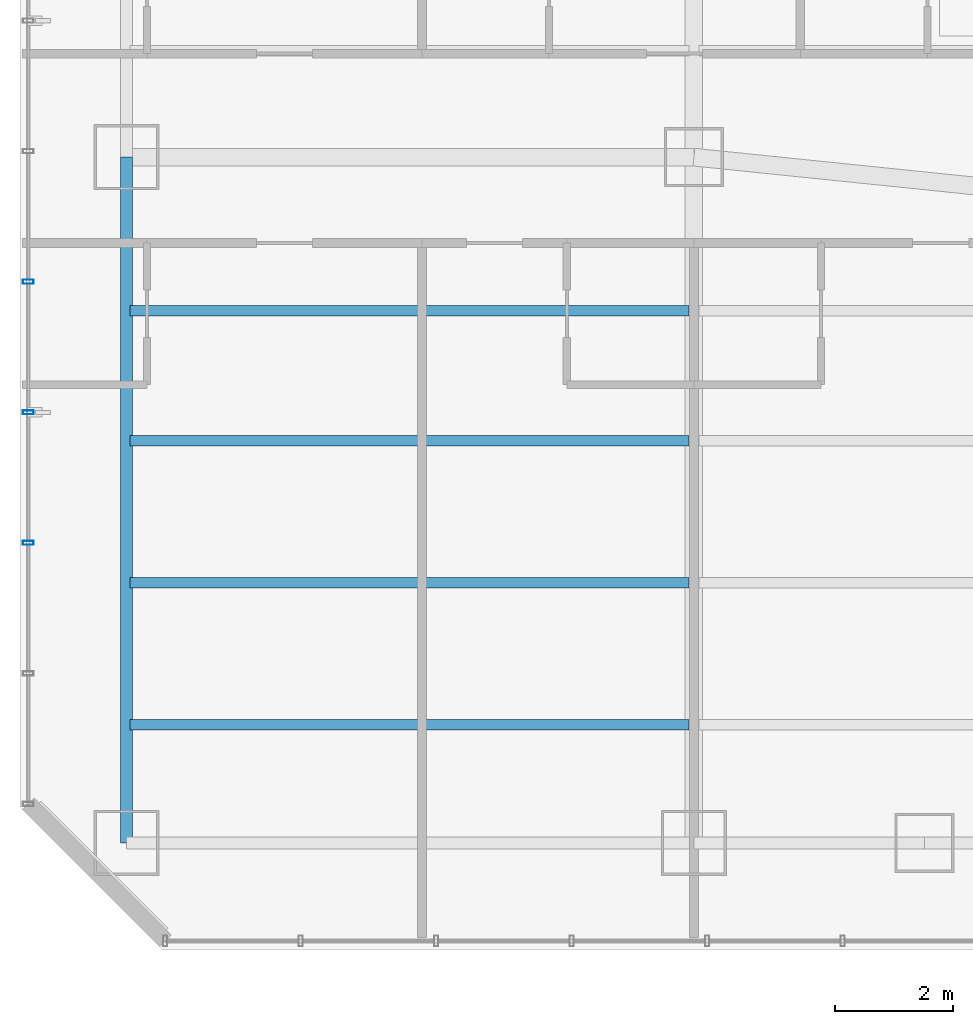
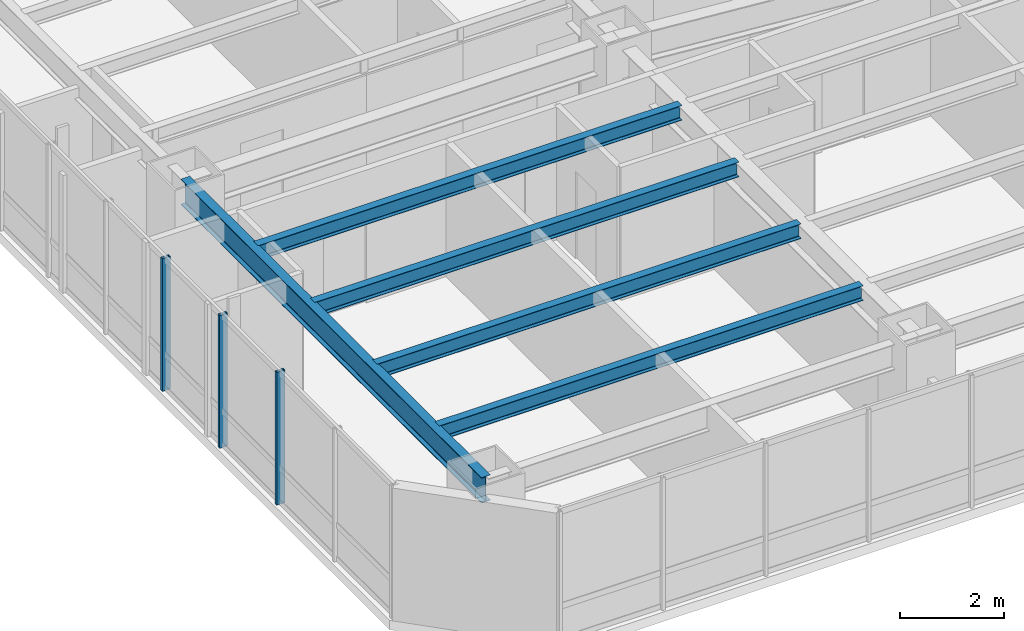
# One storey, part 5 of 37: 5 beams, 3 members, 1 element without a shape of its own.
"""IFC4 building model written with IfcOpenShell, lengths in metres."""

from ifc_helpers import new_model, si_unit, direction, frame, origin, origin_2d, place, context, subcontext, project, spatial, hollow_rectangle, i_section, extrude, material, layer, layer_set, material_profile, profile_set, type_object, element, aggregate, save


model = new_model("IFC4")

# Units and contexts
model_context = context("Model", 3, precision=1e-05, world=origin(), true_north=direction((0.0, 1.0)))
body_context = subcontext(model_context, "Body", "Model", "MODEL_VIEW")
ifc_project = project(units=[si_unit("LENGTHUNIT", "METRE"), si_unit("AREAUNIT", "SQUARE_METRE"), si_unit("VOLUMEUNIT", "CUBIC_METRE"), si_unit("PLANEANGLEUNIT", "RADIAN"), si_unit("MASSUNIT", "GRAM", prefix="KILO")], contexts=[model_context])

# Site, building, storey
site_placement = place(None, origin())
site = spatial("IfcSite", under=ifc_project, at=site_placement, CompositionType="ELEMENT")
building_placement = place(site_placement, origin())
building = spatial("IfcBuilding", under=site, at=building_placement, Name="Hatsunagi Terrace Concourse", CompositionType="ELEMENT")
storey_placement = place(building_placement, frame((0.0, 0.0, 50.0)))
storey = spatial("IfcBuildingStorey", under=building, at=storey_placement, Name="L12", CompositionType="ELEMENT", Elevation=50.0)

# Curtain wall, members
ifc_material_1 = material(Name="Anodised Aluminium Alloy 6063-T5", Category="aluminium")
ifc_layer = layer(ifc_material_1, 0.199951171875)
ifc_layer_set = layer_set([ifc_layer], Name="HotelFacade_CW02")
curtain_wall_type = type_object("IfcCurtainWallType", Name="HotelFacade_CW02", PredefinedType="NOTDEFINED", material=ifc_layer_set)
curtain_wall_placement = place(storey_placement, origin())
curtain_wall = element("IfcCurtainWall", 1, at=curtain_wall_placement, inside=storey, type_object=curtain_wall_type, Name="Unitised Curtain Wall CW-02 CW-L12-09", PredefinedType="NOTDEFINED")
ifc_material_2 = material(Name="Anodised Aluminium Alloy 6063-T5", Category="aluminium")
ifc_material_profile_1 = material_profile(ifc_material_2, hollow_rectangle(XDim=0.070068359375, YDim=0.179931640625, WallThickness=0.00390625, at=origin_2d()), Name="ALU-MUL-180x70x4")
ifc_profile_set_1 = profile_set([ifc_material_profile_1], Name="Anodised Aluminium Alloy 6063-T5")
member_type = type_object("IfcMemberType", Name="CurtainWallMullion_180x70", PredefinedType="MULLION", material=ifc_profile_set_1)
member_1_placement = place(storey_placement, frame((0.139892578125, 30.27490234375, 0.0), z_axis=(0.0, 0.0, 1.0), x_axis=(0.0, 1.0, 0.0)))
member_1 = element("IfcMember", 2, at=member_1_placement, type_object=member_type, Name="Curtain Wall Mullion MUL-02", PredefinedType="MULLION", context=body_context, shape_type="SweptSolid", body=[
    extrude(hollow_rectangle(XDim=0.070068359375, YDim=0.179931640625, WallThickness=0.00390625, at=origin_2d()), origin(), (0.0, 0.0, 1.0), 3.1298828125),
])
member_2_placement = place(storey_placement, frame((0.139892578125, 32.48291015625, 0.0), z_axis=(0.0, 0.0, 1.0), x_axis=(0.0, 1.0, 0.0)))
member_2 = element("IfcMember", 3, at=member_2_placement, type_object=member_type, Name="Curtain Wall Mullion MUL-02", PredefinedType="MULLION", context=body_context, shape_type="SweptSolid", body=[
    extrude(hollow_rectangle(XDim=0.070068359375, YDim=0.179931640625, WallThickness=0.00390625, at=origin_2d()), origin(), (0.0, 0.0, 1.0), 3.1298828125),
])
member_3_placement = place(storey_placement, frame((0.139892578125, 34.69189453125, 0.0), z_axis=(0.0, 0.0, 1.0), x_axis=(0.0, 1.0, 0.0)))
member_3 = element("IfcMember", 4, at=member_3_placement, type_object=member_type, Name="Curtain Wall Mullion MUL-02", PredefinedType="MULLION", context=body_context, shape_type="SweptSolid", body=[
    extrude(hollow_rectangle(XDim=0.070068359375, YDim=0.179931640625, WallThickness=0.00390625, at=origin_2d()), origin(), (0.0, 0.0, 1.0), 3.1298828125),
])
aggregate(curtain_wall, [member_1, member_2, member_3])

# Beams
ifc_material_3 = material(Name="Steel SN490B", Category="steel")
ifc_material_profile_2 = material_profile(ifc_material_3, i_section(OverallWidth=0.175048828125, OverallDepth=0.35009765625, WebThickness=0.007080078125, FlangeThickness=0.010986328125, FilletRadius=0.012939453125, at=origin_2d()), Name="H-350x175x7x11")
ifc_profile_set_2 = profile_set([ifc_material_profile_2], Name="Steel SN490B")
beam_type_1 = type_object("IfcBeamType", Name="HotelJoist_H_350x175", PredefinedType="JOIST", material=ifc_profile_set_2)
for number, where, z_axis, x_axis, name in (
    (5, (1.864990234375, 27.199951171875, 2.955078125), (1.0, 0.0, 0.0), (0.0, 1.0, 0.0), "Beam J-02 J-L12-W-1-272"),
    (6, (1.864990234375, 29.60009765625, 2.955078125), (1.0, 0.0, 0.0), (0.0, 1.0, 0.0), "Beam J-02 J-L12-W-1-296"),
    (7, (1.864990234375, 32.0, 2.955078125), (1.0, 0.0, 0.0), (0.0, 1.0, 0.0), "Beam J-02 J-L12-W-1-320"),
    (8, (1.864990234375, 34.199951171875, 2.955078125), (1.0, 0.0, 0.0), (0.0, 1.0, 0.0), "Beam J-02 J-L12-W-1-342"),
):
    element("IfcBeam", number, at=place(storey_placement, frame(where, z_axis=z_axis, x_axis=x_axis)), inside=storey, type_object=beam_type_1, Name=name, PredefinedType="JOIST", context=body_context, shape_type="SweptSolid", body=[
        extrude(i_section(OverallWidth=0.175048828125, OverallDepth=0.35009765625, WebThickness=0.007080078125, FlangeThickness=0.010986328125, FilletRadius=0.012939453125, at=origin_2d()), origin(), (0.0, 0.0, 1.0), 9.449951171875),
    ])
ifc_material_4 = material(Name="Steel SN490B", Category="steel")
ifc_material_profile_3 = material_profile(ifc_material_4, i_section(OverallWidth=0.199951171875, OverallDepth=0.60009765625, WebThickness=0.010986328125, FlangeThickness=0.01708984375, FilletRadius=0.01806640625, at=origin_2d()), Name="H-600x200x11x17")
ifc_profile_set_3 = profile_set([ifc_material_profile_3], Name="Steel SN490B")
beam_type_2 = type_object("IfcBeamType", Name="PerimeterSpandrel_H_600x200", PredefinedType="SPANDREL", material=ifc_profile_set_3)
beam_placement = place(storey_placement, frame((1.800048828125, 25.199951171875, 2.830078125), z_axis=(0.0, 1.0, 0.0), x_axis=(-1.0, 0.0, 0.0)))
element("IfcBeam", 9, at=beam_placement, inside=storey, type_object=beam_type_2, Name="Beam SP-01 BM-L12-NS-1-25", PredefinedType="SPANDREL", context=body_context, shape_type="SweptSolid", body=[
    extrude(i_section(OverallWidth=0.199951171875, OverallDepth=0.60009765625, WebThickness=0.010986328125, FlangeThickness=0.01708984375, FilletRadius=0.01806640625, at=origin_2d()), origin(), (0.0, 0.0, 1.0), 11.60009765625),
])

save(model, "model.ifc")
